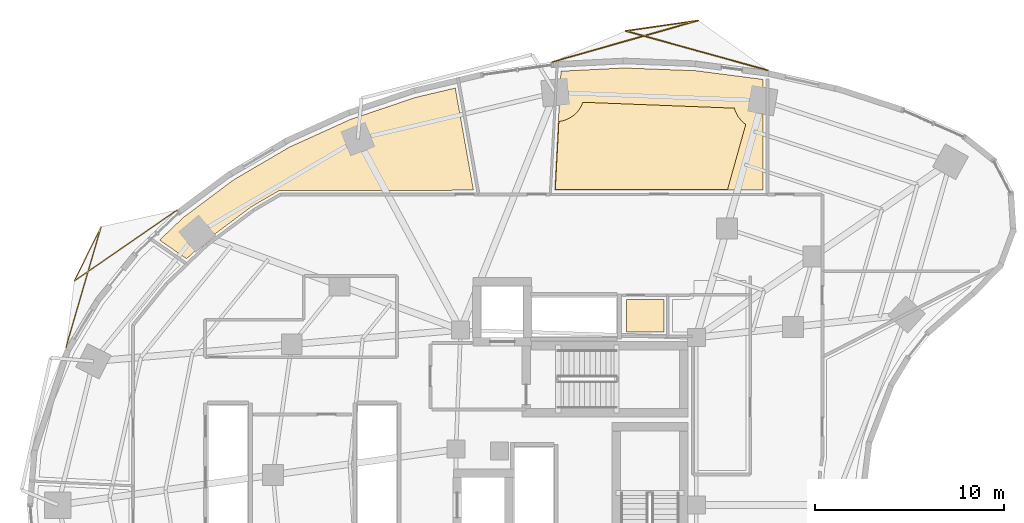
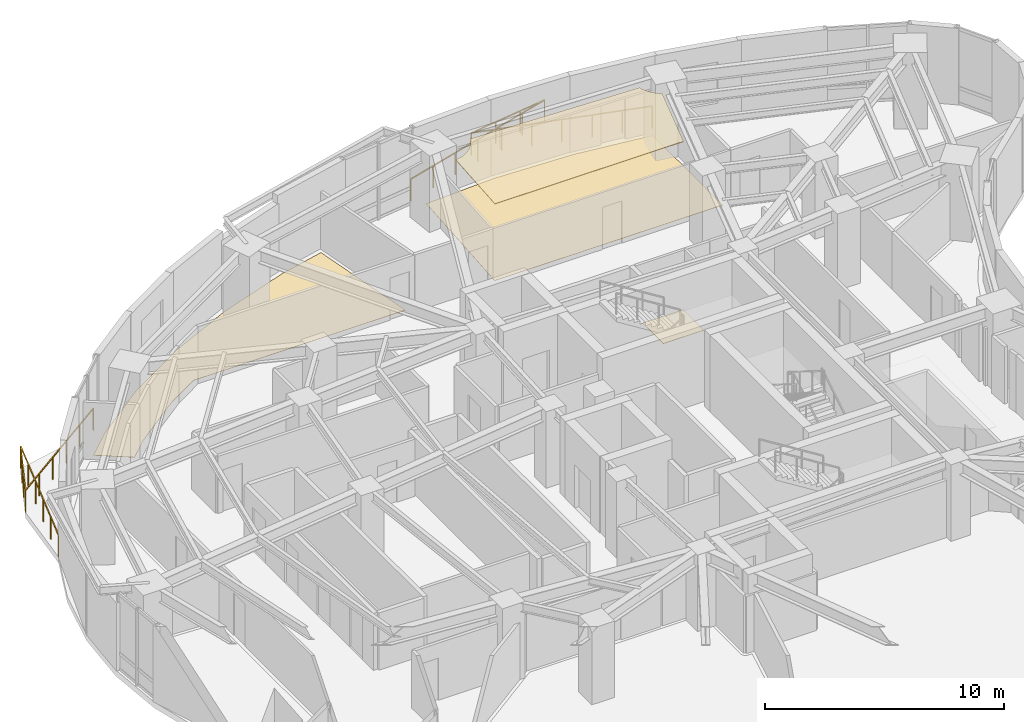
# One storey, part 15 of 15: 4 coverings, 2 railings.
"""IFC4 building model written with IfcOpenShell, lengths in metres."""

from ifc_helpers import new_model, si_unit, direction, frame, origin, origin_2d, place, context, subcontext, project, spatial, polyline, rectangle, outline, extrude, material, layer, layer_set, type_object, element, save


model = new_model("IFC4")

# Units and contexts
model_context = context("Model", 3, precision=1e-05, world=origin(), true_north=direction((0.0, 1.0)))
body_context = subcontext(model_context, "Body", "Model", "MODEL_VIEW")
ifc_project = project(units=[si_unit("LENGTHUNIT", "METRE"), si_unit("AREAUNIT", "SQUARE_METRE"), si_unit("VOLUMEUNIT", "CUBIC_METRE"), si_unit("PLANEANGLEUNIT", "RADIAN"), si_unit("MASSUNIT", "GRAM", prefix="KILO")], contexts=[model_context])

# Site, building, storey
site_placement = place(None, origin())
site = spatial("IfcSite", under=ifc_project, at=site_placement, CompositionType="ELEMENT")
building_placement = place(site_placement, origin())
building = spatial("IfcBuilding", under=site, at=building_placement, Name="Korentha Bioscience Tower", CompositionType="ELEMENT")
storey_placement = place(building_placement, frame((0.0, 0.0, 30.0)))
storey = spatial("IfcBuildingStorey", under=building, at=storey_placement, Name="L06", CompositionType="ELEMENT", Elevation=30.0)

# Covering
ifc_material_1 = material(Name="Vitrified Porcelain Tile", Category="ceramic")
ifc_layer_1 = layer(ifc_material_1, 0.014892578125, Name="Vitrified Porcelain Tile")
ifc_layer_set_1 = layer_set([ifc_layer_1], Name="Vitrified Porcelain Tile (FL-CER)")
covering_type_1 = type_object("IfcCoveringType", Name="Anti-Slip Ceramic Wet-Room Tile Flooring 15", PredefinedType="FLOORING", material=ifc_layer_set_1)
covering_1_placement = place(storey_placement, origin())
element("IfcCovering", 1, at=covering_1_placement, inside=storey, type_object=covering_type_1, Name="L06 Accessible Staff WC Floor Finish", PredefinedType="FLOORING", context=body_context, shape_type="SweptSolid", body=[
    extrude(outline(polyline([(33.8701171875, 36.1298828125), (33.8701171875, 37.8701171875), (35.830078125, 37.8701171875), (35.830078125, 36.1298828125), (33.8701171875, 36.1298828125)])), origin(), (0.0, 0.0, 1.0), 0.014892578125),
])

# Railings
ifc_material_2 = material(Name="Laminated Tempered Safety Glass", Category="glass")
railing_type = type_object("IfcRailingType", Name="Laminated Glass Balcony Guardrail 1150", PredefinedType="BALUSTRADE", material=ifc_material_2)
railing_1_placement = place(storey_placement, frame((41.33349609375, 49.9638671875, 0.0)))
element("IfcRailing", 2, at=railing_1_placement, inside=storey, type_object=railing_type, Name="L06 Balcony Guardrail 01", PredefinedType="BALUSTRADE", context=body_context, shape_type="SweptSolid", body=[
    extrude(rectangle(XDim=0.048095703125, YDim=0.048095703125, at=origin_2d()), frame((0.0, 0.0, 1.1259765625), z_axis=(-0.963705393493, 0.266968002864, 0.0), x_axis=(-0.266968002864, -0.963705393493, 0.0)), (0.0, 0.0, 1.0), 7.80712890625),
    extrude(rectangle(XDim=0.048095703125, YDim=0.048095703125, at=origin_2d()), frame((-7.523681640625, 2.084228515625, 1.1259765625), z_axis=(0.989867578194, 0.141993583099, 0.0), x_axis=(-0.141993583099, 0.989867578194, 0.0)), (0.0, 0.0, 1.0), 3.88232421875),
    extrude(rectangle(XDim=0.048095703125, YDim=0.048095703125, at=origin_2d()), frame((-3.6806640625, 2.635498046875, 1.1259765625), z_axis=(-0.961886221557, -0.27344998954, 0.0), x_axis=(0.27344998954, -0.961886221557, 0.0)), (0.0, 0.0, 1.0), 8.017578125),
    extrude(rectangle(XDim=0.0419921875, YDim=0.0419921875, at=origin_2d()), origin(), (0.0, 0.0, 1.0), 1.101806640625),
    extrude(rectangle(XDim=0.0419921875, YDim=0.0419921875, at=origin_2d()), frame((-1.25390625, 0.347412109375, 0.0)), (0.0, 0.0, 1.0), 1.101806640625),
    extrude(rectangle(XDim=0.0419921875, YDim=0.0419921875, at=origin_2d()), frame((-2.5078125, 0.69482421875, 0.0)), (0.0, 0.0, 1.0), 1.101806640625),
    extrude(rectangle(XDim=0.0419921875, YDim=0.0419921875, at=origin_2d()), frame((-3.76171875, 1.0419921875, 0.0)), (0.0, 0.0, 1.0), 1.101806640625),
    extrude(rectangle(XDim=0.0419921875, YDim=0.0419921875, at=origin_2d()), frame((-5.015869140625, 1.389404296875, 0.0)), (0.0, 0.0, 1.0), 1.101806640625),
    extrude(rectangle(XDim=0.0419921875, YDim=0.0419921875, at=origin_2d()), frame((-6.269775390625, 1.73681640625, 0.0)), (0.0, 0.0, 1.0), 1.101806640625),
    extrude(rectangle(XDim=0.0419921875, YDim=0.0419921875, at=origin_2d()), frame((-7.523681640625, 2.084228515625, 0.0)), (0.0, 0.0, 1.0), 1.101806640625),
    extrude(rectangle(XDim=0.0419921875, YDim=0.0419921875, at=origin_2d()), frame((-6.24267578125, 2.26806640625, 0.0)), (0.0, 0.0, 1.0), 1.101806640625),
    extrude(rectangle(XDim=0.0419921875, YDim=0.0419921875, at=origin_2d()), frame((-4.961669921875, 2.45166015625, 0.0)), (0.0, 0.0, 1.0), 1.101806640625),
    extrude(rectangle(XDim=0.0419921875, YDim=0.0419921875, at=origin_2d()), frame((-3.6806640625, 2.635498046875, 0.0)), (0.0, 0.0, 1.0), 1.101806640625),
    extrude(rectangle(XDim=0.0419921875, YDim=0.0419921875, at=origin_2d()), frame((-4.966064453125, 2.27001953125, 0.0)), (0.0, 0.0, 1.0), 1.101806640625),
    extrude(rectangle(XDim=0.0419921875, YDim=0.0419921875, at=origin_2d()), frame((-6.251220703125, 1.90478515625, 0.0)), (0.0, 0.0, 1.0), 1.101806640625),
    extrude(rectangle(XDim=0.0419921875, YDim=0.0419921875, at=origin_2d()), frame((-7.53662109375, 1.539306640625, 0.0)), (0.0, 0.0, 1.0), 1.101806640625),
    extrude(rectangle(XDim=0.0419921875, YDim=0.0419921875, at=origin_2d()), frame((-8.822021484375, 1.173828125, 0.0)), (0.0, 0.0, 1.0), 1.101806640625),
    extrude(rectangle(XDim=0.0419921875, YDim=0.0419921875, at=origin_2d()), frame((-10.107177734375, 0.80859375, 0.0)), (0.0, 0.0, 1.0), 1.101806640625),
    extrude(rectangle(XDim=0.0419921875, YDim=0.0419921875, at=origin_2d()), frame((-11.392578125, 0.443115234375, 0.0)), (0.0, 0.0, 1.0), 1.101806640625),
])
railing_2_placement = place(storey_placement, frame((10.1220703125, 42.58642578125, 0.0)))
element("IfcRailing", 3, at=railing_2_placement, inside=storey, type_object=railing_type, Name="L06 Balcony Guardrail 02", PredefinedType="BALUSTRADE", context=body_context, shape_type="SweptSolid", body=[
    extrude(rectangle(XDim=0.048095703125, YDim=0.048095703125, at=origin_2d()), frame((0.0, 0.0, 1.1259765625), z_axis=(-0.822966359842, -0.56809010779, 0.0), x_axis=(0.56809010779, -0.822966359842, 0.0)), (0.0, 0.0, 1.0), 6.6123046875),
    extrude(rectangle(XDim=0.048095703125, YDim=0.048095703125, at=origin_2d()), frame((-5.441650390625, -3.75634765625, 1.1259765625), z_axis=(0.444285864543, 0.895885076651, 0.0), x_axis=(-0.895885076651, 0.444285864543, 0.0)), (0.0, 0.0, 1.0), 3.204833984375),
    extrude(rectangle(XDim=0.048095703125, YDim=0.048095703125, at=origin_2d()), frame((-4.017822265625, -0.88525390625, 1.1259765625), z_axis=(-0.2799152519, -0.960024714137, 0.0), x_axis=(0.960024714137, -0.2799152519, 0.0)), (0.0, 0.0, 1.0), 6.637451171875),
    extrude(rectangle(XDim=0.0419921875, YDim=0.0419921875, at=origin_2d()), origin(), (0.0, 0.0, 1.0), 1.101806640625),
    extrude(rectangle(XDim=0.0419921875, YDim=0.0419921875, at=origin_2d()), frame((-1.08837890625, -0.751220703125, 0.0)), (0.0, 0.0, 1.0), 1.101806640625),
    extrude(rectangle(XDim=0.0419921875, YDim=0.0419921875, at=origin_2d()), frame((-2.1767578125, -1.50244140625, 0.0)), (0.0, 0.0, 1.0), 1.101806640625),
    extrude(rectangle(XDim=0.0419921875, YDim=0.0419921875, at=origin_2d()), frame((-3.264892578125, -2.25390625, 0.0)), (0.0, 0.0, 1.0), 1.101806640625),
    extrude(rectangle(XDim=0.0419921875, YDim=0.0419921875, at=origin_2d()), frame((-4.353271484375, -3.005126953125, 0.0)), (0.0, 0.0, 1.0), 1.101806640625),
    extrude(rectangle(XDim=0.0419921875, YDim=0.0419921875, at=origin_2d()), frame((-5.441650390625, -3.75634765625, 0.0)), (0.0, 0.0, 1.0), 1.101806640625),
    extrude(rectangle(XDim=0.0419921875, YDim=0.0419921875, at=origin_2d()), frame((-4.967041015625, -2.79931640625, 0.0)), (0.0, 0.0, 1.0), 1.101806640625),
    extrude(rectangle(XDim=0.0419921875, YDim=0.0419921875, at=origin_2d()), frame((-4.492431640625, -1.84228515625, 0.0)), (0.0, 0.0, 1.0), 1.101806640625),
    extrude(rectangle(XDim=0.0419921875, YDim=0.0419921875, at=origin_2d()), frame((-4.017822265625, -0.88525390625, 0.0)), (0.0, 0.0, 1.0), 1.101806640625),
    extrude(rectangle(XDim=0.0419921875, YDim=0.0419921875, at=origin_2d()), frame((-4.389404296875, -2.15966796875, 0.0)), (0.0, 0.0, 1.0), 1.101806640625),
    extrude(rectangle(XDim=0.0419921875, YDim=0.0419921875, at=origin_2d()), frame((-4.760986328125, -3.43408203125, 0.0)), (0.0, 0.0, 1.0), 1.101806640625),
    extrude(rectangle(XDim=0.0419921875, YDim=0.0419921875, at=origin_2d()), frame((-5.132568359375, -4.70849609375, 0.0)), (0.0, 0.0, 1.0), 1.101806640625),
    extrude(rectangle(XDim=0.0419921875, YDim=0.0419921875, at=origin_2d()), frame((-5.504150390625, -5.98291015625, 0.0)), (0.0, 0.0, 1.0), 1.101806640625),
    extrude(rectangle(XDim=0.0419921875, YDim=0.0419921875, at=origin_2d()), frame((-5.875732421875, -7.25732421875, 0.0)), (0.0, 0.0, 1.0), 1.101806640625),
])

# Coverings
ifc_material_3 = material(Name="Antimicrobial Mineral Fibre Board", Category="gypsum")
ifc_layer_2 = layer(ifc_material_3, 0.034912109375, Name="Antimicrobial Mineral Fibre Board")
ifc_layer_set_2 = layer_set([ifc_layer_2], Name="Antimicrobial Mineral Fibre Board (CL-MF35)")
covering_type_2 = type_object("IfcCoveringType", Name="Mineral-Fibre Cleanroom Suspended Ceiling 35", PredefinedType="CEILING", material=ifc_layer_set_2)
covering_2_placement = place(storey_placement, frame((0.0, 0.0, 3.864990234375)))
element("IfcCovering", 4, at=covering_2_placement, inside=storey, type_object=covering_type_2, Name="L06 Visiting Faculty Study Office 12 Acoustic Ceiling", PredefinedType="CEILING", context=body_context, shape_type="SweptSolid", body=[
    extrude(outline(polyline([(30.28759765625, 47.256103515625), (30.544189453125, 47.309326171875), (30.6875, 47.360595703125), (30.955322265625, 47.50390625), (31.07763671875, 47.594482421875), (31.29248046875, 47.809326171875), (31.383056640625, 47.931396484375), (31.461181640625, 48.06201171875), (31.553955078125, 48.276611328125), (39.556884765625, 47.965576171875), (39.62060546875, 47.7734375), (39.763671875, 47.505615234375), (39.95654296875, 47.270751953125), (40.15869140625, 47.102294921875), (39.195556640625, 43.659912109375), (30.09912109375, 43.659912109375), (30.28759765625, 47.256103515625)])), origin(), (0.0, 0.0, 1.0), 0.034912109375),
])
ifc_material_4 = material(Name="Chemical-Resistant Epoxy Resin", Category="polymer")
ifc_layer_3 = layer(ifc_material_4, 0.011962890625, Name="Chemical-Resistant Epoxy Resin")
ifc_layer_set_3 = layer_set([ifc_layer_3], Name="Chemical-Resistant Epoxy Resin (FL-EPX)")
covering_type_3 = type_object("IfcCoveringType", Name="Seamless Epoxy Laboratory Flooring 12", PredefinedType="FLOORING", material=ifc_layer_set_3)
covering_3_placement = place(storey_placement, origin())
element("IfcCovering", 5, at=covering_3_placement, inside=storey, type_object=covering_type_3, Name="L06 Visiting Faculty Study Office 12 Floor Finish", PredefinedType="FLOORING", context=body_context, shape_type="SweptSolid", body=[
    extrude(outline(polyline([(33.756103515625, 50.0888671875), (37.5263671875, 49.942138671875), (41.072021484375, 49.4833984375), (41.072021484375, 43.6298828125), (30.0673828125, 43.6298828125), (30.397216796875, 49.91943359375), (33.756103515625, 50.0888671875)])), origin(), (0.0, 0.0, 1.0), 0.011962890625),
])
covering_4_placement = place(storey_placement, origin())
element("IfcCovering", 6, at=covering_4_placement, inside=storey, type_object=covering_type_3, Name="L06 Ethics and Biosafety Briefing Room 14 Floor Finish", PredefinedType="FLOORING", context=body_context, shape_type="SweptSolid", body=[
    extrude(outline(polyline([(10.451904296875, 42.1962890625), (13.09619140625, 44.173828125), (16.0458984375, 45.90478515625), (19.258544921875, 47.36279296875), (22.68701171875, 48.525390625), (24.8125, 49.027587890625), (25.775390625, 43.6298828125), (15.531005859375, 43.6220703125), (14.028076171875, 42.748046875), (11.55224609375, 40.89599609375), (10.619140625, 40.006591796875), (9.193359375, 40.995849609375), (10.451904296875, 42.1962890625)])), origin(), (0.0, 0.0, 1.0), 0.011962890625),
])

save(model, "model.ifc")
